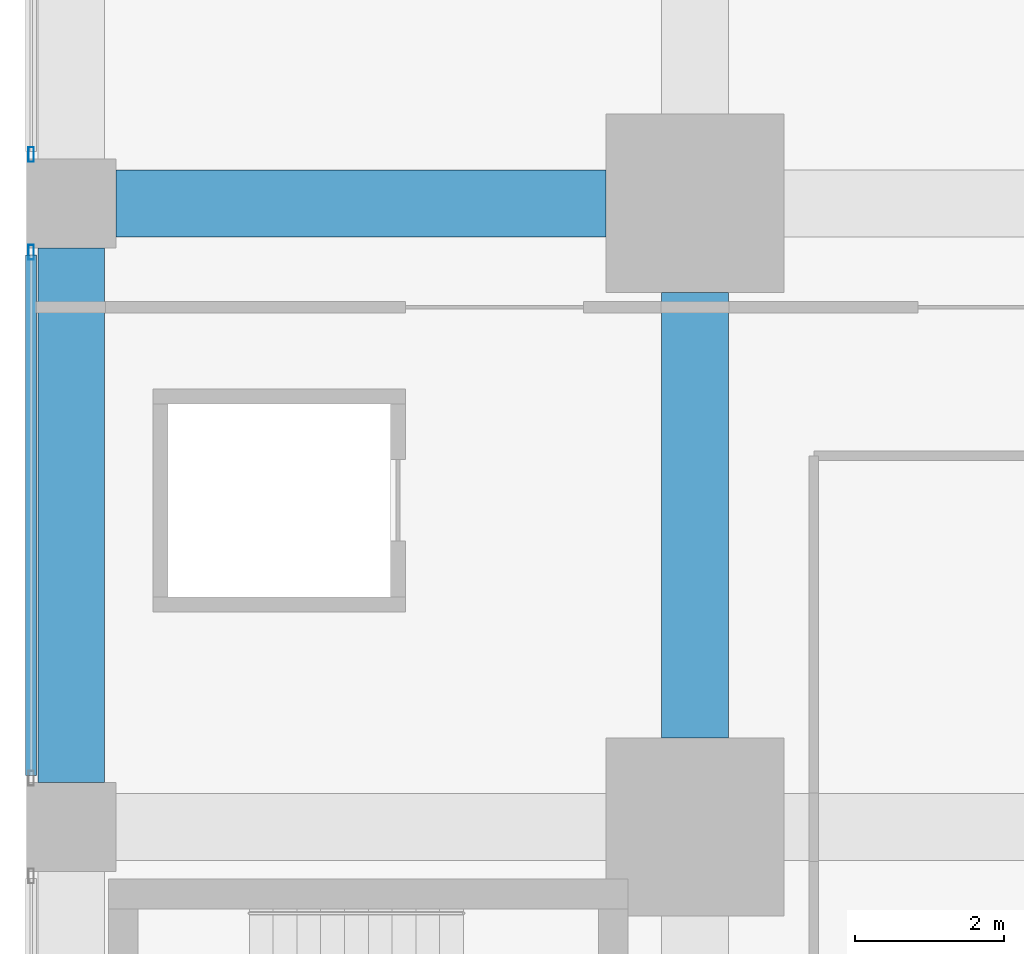
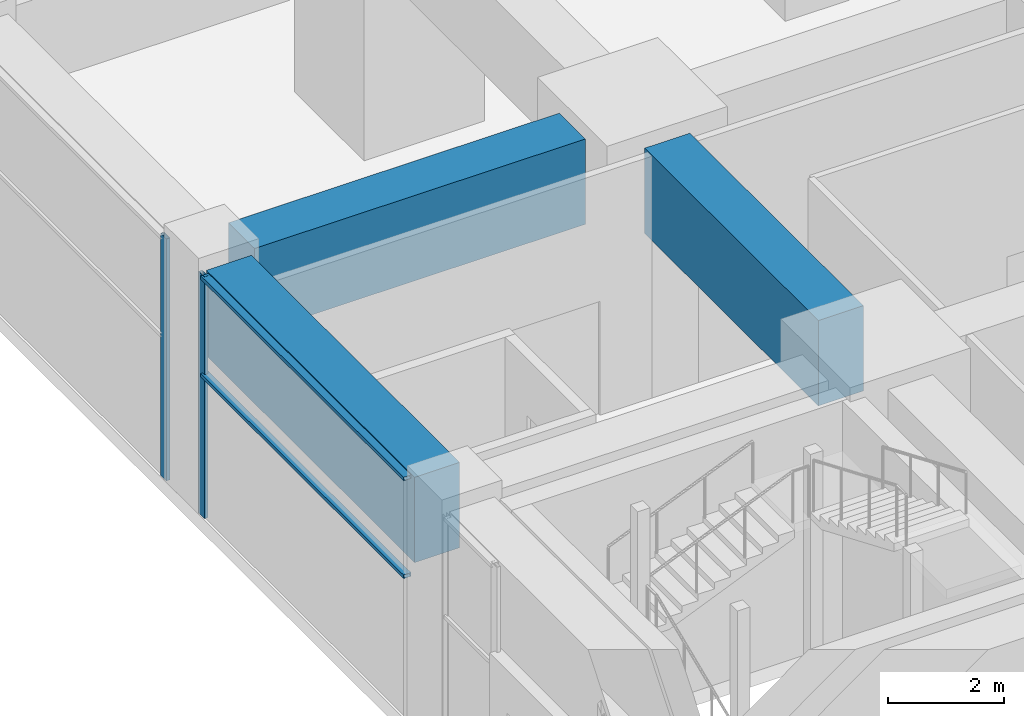
# One storey, part 18 of 81: 4 members, 3 beams, 2 elements without a shape of their own.
"""IFC4 building model written with IfcOpenShell, lengths in metres."""

from ifc_helpers import new_model, si_unit, direction, frame, origin, origin_2d, place, context, subcontext, project, spatial, rectangle, hollow_rectangle, extrude, material, material_profile, profile_set, type_object, element, aggregate, save


model = new_model("IFC4")

# Units and contexts
model_context = context("Model", 3, precision=1e-05, world=origin(), true_north=direction((0.0, 1.0)))
body_context = subcontext(model_context, "Body", "Model", "MODEL_VIEW")
ifc_project = project(units=[si_unit("LENGTHUNIT", "METRE"), si_unit("AREAUNIT", "SQUARE_METRE"), si_unit("VOLUMEUNIT", "CUBIC_METRE"), si_unit("PLANEANGLEUNIT", "RADIAN"), si_unit("MASSUNIT", "GRAM", prefix="KILO")], contexts=[model_context])

# Site, building, storey
site_placement = place(None, origin())
site = spatial("IfcSite", under=ifc_project, at=site_placement, CompositionType="ELEMENT")
building_placement = place(site_placement, origin())
building = spatial("IfcBuilding", under=site, at=building_placement, Name="Rekha Terrace Tower", CompositionType="ELEMENT")
storey_placement = place(building_placement, origin())
storey = spatial("IfcBuildingStorey", under=building, at=storey_placement, Name="L00", CompositionType="ELEMENT", Elevation=0.0)

# Curtain wall, member
ifc_material_1 = material(Name="Aluminium framing", Category="aluminium")
curtain_wall_type = type_object("IfcCurtainWallType", Name="CW4 podium shopfront glazing", PredefinedType="USERDEFINED", material=ifc_material_1)
curtain_wall_1_placement = place(storey_placement, origin())
curtain_wall_1 = element("IfcCurtainWall", 1, at=curtain_wall_1_placement, inside=storey, type_object=curtain_wall_type, Name="CW4 shopfront curtain wall", ObjectType="SHOPFRONT CURTAIN WALL", PredefinedType="USERDEFINED")
ifc_material_2 = material(Name="Aluminium mullion section", Category="aluminium")
ifc_material_profile_1 = material_profile(ifc_material_2, hollow_rectangle(XDim=0.074951171875, YDim=0.199951171875, WallThickness=0.00390625, at=origin_2d()), Name="AL RHS 75x200")
ifc_profile_set_1 = profile_set([ifc_material_profile_1], Name="Aluminium mullion section")
member_type_1 = type_object("IfcMemberType", Name="CW4 mullion RHS 75 x 200", PredefinedType="MULLION", material=ifc_profile_set_1)
member_1_placement = place(storey_placement, frame((-0.5400390625, 42.657470703125, 0.0), z_axis=(0.0, 0.0, 1.0), x_axis=(1.0, 0.0, 0.0)))
member_1 = element("IfcMember", 2, at=member_1_placement, type_object=member_type_1, Name="CW4 mullion 2", PredefinedType="MULLION", context=body_context, shape_type="SweptSolid", body=[
    extrude(hollow_rectangle(XDim=0.074951171875, YDim=0.199951171875, WallThickness=0.00390625, at=origin_2d()), origin(), (0.0, 0.0, 1.0), 5.10009765625),
])
aggregate(curtain_wall_1, [member_1])

# Curtain wall, members
curtain_wall_2_placement = place(storey_placement, origin())
curtain_wall_2 = element("IfcCurtainWall", 3, at=curtain_wall_2_placement, inside=storey, type_object=curtain_wall_type, Name="CW4 shopfront curtain wall", ObjectType="SHOPFRONT CURTAIN WALL", PredefinedType="USERDEFINED")
member_2_placement = place(storey_placement, frame((-0.5400390625, 41.342529296875, 0.0), z_axis=(0.0, 0.0, 1.0), x_axis=(1.0, 0.0, 0.0)))
member_2 = element("IfcMember", 4, at=member_2_placement, type_object=member_type_1, Name="CW4 mullion 1", PredefinedType="MULLION", context=body_context, shape_type="SweptSolid", body=[
    extrude(hollow_rectangle(XDim=0.074951171875, YDim=0.199951171875, WallThickness=0.00390625, at=origin_2d()), origin(), (0.0, 0.0, 1.0), 5.10009765625),
])
ifc_material_3 = material(Name="Aluminium transom section", Category="aluminium")
ifc_material_profile_2 = material_profile(ifc_material_3, hollow_rectangle(XDim=0.14990234375, YDim=0.074951171875, WallThickness=0.0029296875, at=origin_2d()), Name="AL RHS 150x75")
ifc_profile_set_2 = profile_set([ifc_material_profile_2], Name="Aluminium transom section")
member_type_2 = type_object("IfcMemberType", Name="CW4 transom RHS 75 x 150", PredefinedType="USERDEFINED", material=ifc_profile_set_2)
member_3_placement = place(storey_placement, frame((-0.5400390625, 41.304931640625, 3.0), z_axis=(0.0, -1.0, 0.0), x_axis=(1.0, 0.0, 0.0)))
member_3 = element("IfcMember", 5, at=member_3_placement, type_object=member_type_2, Name="CW4 transom 1.2", ObjectType="TRANSOM", PredefinedType="USERDEFINED", context=body_context, shape_type="SweptSolid", body=[
    extrude(hollow_rectangle(XDim=0.14990234375, YDim=0.074951171875, WallThickness=0.0029296875, at=origin_2d()), origin(), (0.0, 0.0, 1.0), 7.010009765625),
])
member_4_placement = place(storey_placement, frame((-0.5400390625, 41.304931640625, 5.0625), z_axis=(0.0, -1.0, 0.0), x_axis=(1.0, 0.0, 0.0)))
member_4 = element("IfcMember", 6, at=member_4_placement, type_object=member_type_2, Name="CW4 transom 1.3", ObjectType="TRANSOM", PredefinedType="USERDEFINED", context=body_context, shape_type="SweptSolid", body=[
    extrude(hollow_rectangle(XDim=0.14990234375, YDim=0.074951171875, WallThickness=0.0029296875, at=origin_2d()), origin(), (0.0, 0.0, 1.0), 7.010009765625),
])
aggregate(curtain_wall_2, [member_2, member_3, member_4])

# Beams
ifc_material_4 = material(Name="Concrete M60", Category="concrete")
ifc_material_profile_3 = material_profile(ifc_material_4, rectangle(XDim=0.89990234375, YDim=1.800048828125, at=origin_2d()), Name="RC 900x1800")
ifc_profile_set_3 = profile_set([ifc_material_profile_3], Name="Concrete M60")
beam_type = type_object("IfcBeamType", Name="G1 900x1800 podium floor beam", PredefinedType="BEAM", material=ifc_profile_set_3)
beam_1_placement = place(storey_placement, frame((0.0, 34.199951171875, 4.199951171875), z_axis=(0.0, 1.0, 0.0), x_axis=(-1.0, 0.0, 0.0)))
element("IfcBeam", 7, at=beam_1_placement, inside=storey, type_object=beam_type, Name="Beam G1 1E-1F under L01", PredefinedType="BEAM", context=body_context, shape_type="SweptSolid", body=[
    extrude(rectangle(XDim=0.89990234375, YDim=1.800048828125, at=origin_2d()), origin(), (0.0, 0.0, 1.0), 7.199951171875),
])
beam_2_placement = place(storey_placement, frame((0.60009765625, 42.0, 4.199951171875), z_axis=(1.0, 0.0, 0.0), x_axis=(0.0, 1.0, 0.0)))
element("IfcBeam", 8, at=beam_2_placement, inside=storey, type_object=beam_type, Name="Beam G1 1F-2F under L01", PredefinedType="BEAM", context=body_context, shape_type="SweptSolid", body=[
    extrude(rectangle(XDim=0.89990234375, YDim=1.800048828125, at=origin_2d()), origin(), (0.0, 0.0, 1.0), 6.599853515625),
])
beam_3_placement = place(storey_placement, frame((8.39990234375, 34.800048828125, 4.199951171875), z_axis=(0.0, 1.0, 0.0), x_axis=(-1.0, 0.0, 0.0)))
element("IfcBeam", 9, at=beam_3_placement, inside=storey, type_object=beam_type, Name="Beam G1 2E-2F under L01", PredefinedType="BEAM", context=body_context, shape_type="SweptSolid", body=[
    extrude(rectangle(XDim=0.89990234375, YDim=1.800048828125, at=origin_2d()), origin(), (0.0, 0.0, 1.0), 6.0),
])

save(model, "model.ifc")
